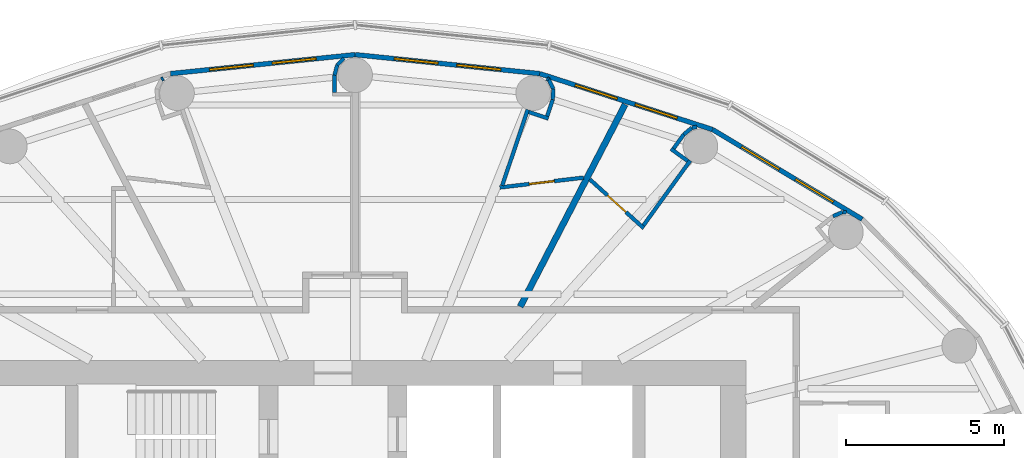
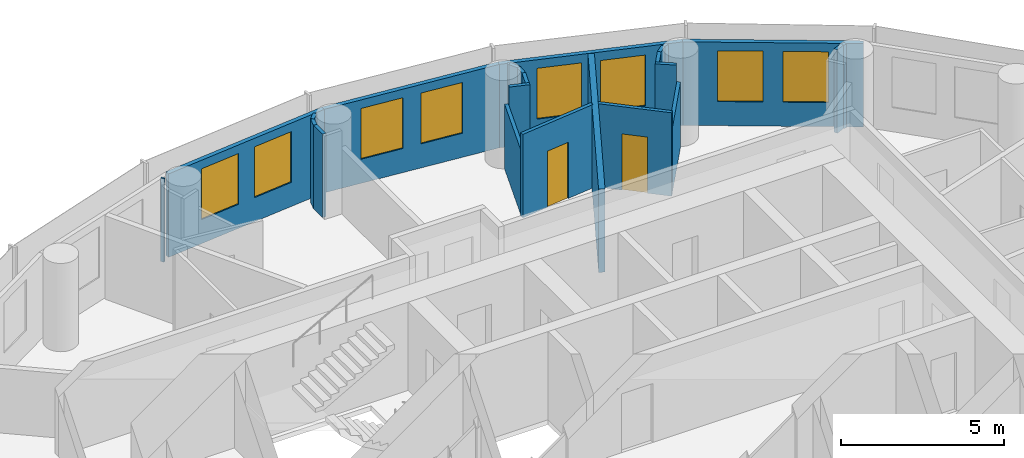
# One storey, part 13 of 16: 24 walls, 8 windows, 2 doors, 10 openings.
"""IFC4 building model written with IfcOpenShell, lengths in metres."""

from ifc_helpers import new_model, si_unit, direction, frame, frame_2d, origin, place, context, subcontext, project, spatial, rectangle, extrude, material, layer, layer_set, type_object, element, fill, save


model = new_model("IFC4")

# Units and contexts
model_context = context("Model", 3, precision=1e-05, world=origin(), true_north=direction((0.0, 1.0)))
body_context = subcontext(model_context, "Body", "Model", "MODEL_VIEW")
ifc_project = project(units=[si_unit("LENGTHUNIT", "METRE"), si_unit("AREAUNIT", "SQUARE_METRE"), si_unit("VOLUMEUNIT", "CUBIC_METRE"), si_unit("PLANEANGLEUNIT", "RADIAN"), si_unit("MASSUNIT", "GRAM", prefix="KILO")], contexts=[model_context])

# Site, building, storey
site_placement = place(None, origin())
site = spatial("IfcSite", under=ifc_project, at=site_placement, CompositionType="ELEMENT")
building_placement = place(site_placement, origin())
building = spatial("IfcBuilding", under=site, at=building_placement, Name="Hankou Lantern Tower", CompositionType="ELEMENT")
storey_placement = place(building_placement, frame((0.0, 0.0, 169.800048828125)))
storey = spatial("IfcBuildingStorey", under=building, at=storey_placement, Name="L45", CompositionType="ELEMENT", Elevation=169.800048828125)

# Wall, openings, windows
ifc_material_1 = material(Name="Aluminium spandrel panel on steel studs", Category="steel")
ifc_layer_1 = layer(ifc_material_1, 0.14990234375)
ifc_layer_set_1 = layer_set([ifc_layer_1], Name="Aluminium spandrel panel on steel studs")
wall_type_1 = type_object("IfcWallType", Name="EW1 INNER SKIN WALL 150", PredefinedType="ELEMENTEDWALL", material=ifc_layer_set_1)
wall_1_placement = place(storey_placement, frame((16.0947265625, 12.875732421875, 0.0), z_axis=(0.0, 0.0, 1.0), x_axis=(-0.857695199231, 0.514158482587, 0.0)))
wall_1 = element("IfcWall", 1, at=wall_1_placement, inside=storey, type_object=wall_type_1, Name="Inner skin R04-R05 L45", PredefinedType="ELEMENTEDWALL", context=body_context, shape_type="SweptSolid", body=[
    extrude(rectangle(XDim=5.5361328125, YDim=0.14990234375, at=frame_2d((2.76806640625, 0.0))), origin(), (0.0, 0.0, 1.0), 3.119873046875),
])
opening_1_placement = place(wall_1_placement, frame((1.068115234375, 0.0, 0.89990234375)))
opening_1 = element("IfcOpeningElement", 2, at=opening_1_placement, cuts=wall_1, Name="Opening W3", PredefinedType="OPENING", context=body_context, shape_type="SweptSolid", body=[
    extrude(rectangle(XDim=1.39990234375, YDim=1.89990234375, at=frame_2d((0.699951171875, 0.949951171875))), frame((0.0, 0.0849609375, 0.0), z_axis=(0.0, -1.0, 0.0), x_axis=(1.0, 0.0, 0.0)), (0.0, 0.0, 1.0), 0.169921875),
])
opening_2_placement = place(wall_1_placement, frame((3.068115234375, 0.0, 0.89990234375)))
opening_2 = element("IfcOpeningElement", 3, at=opening_2_placement, cuts=wall_1, Name="Opening W3", PredefinedType="OPENING", context=body_context, shape_type="SweptSolid", body=[
    extrude(rectangle(XDim=1.39990234375, YDim=1.89990234375, at=frame_2d((0.699951171875, 0.949951171875))), frame((0.0, 0.0849609375, 0.0), z_axis=(0.0, -1.0, 0.0), x_axis=(1.0, 0.0, 0.0)), (0.0, 0.0, 1.0), 0.169921875),
])
ifc_material_2 = material(Name="Aluminium framed double glazed window", Category="aluminium")
window_type = type_object("IfcWindowType", Name="W3 GUEST ROOM WINDOW 1400X1900", PartitioningType="DOUBLE_PANEL_VERTICAL", PredefinedType="WINDOW", material=ifc_material_2)
window_1_placement = place(opening_1_placement, origin())
window_1 = element("IfcWindow", 4, at=window_1_placement, inside=storey, type_object=window_type, Name="Window R04.1 L45", OverallHeight=1.89990234375, OverallWidth=1.39990234375, PartitioningType="SINGLE_PANEL", PredefinedType="WINDOW", context=body_context, shape_type="SweptSolid", body=[
    extrude(rectangle(XDim=1.39990234375, YDim=1.89990234375, at=frame_2d((0.699951171875, 0.949951171875))), frame((0.0, 0.030029296875, 0.0), z_axis=(0.0, -1.0, 0.0), x_axis=(1.0, 0.0, 0.0)), (0.0, 0.0, 1.0), 0.06005859375),
])
fill(opening_1, window_1)
window_2_placement = place(opening_2_placement, origin())
window_2 = element("IfcWindow", 5, at=window_2_placement, inside=storey, type_object=window_type, Name="Window R04.2 L45", OverallHeight=1.89990234375, OverallWidth=1.39990234375, PartitioningType="SINGLE_PANEL", PredefinedType="WINDOW", context=body_context, shape_type="SweptSolid", body=[
    extrude(rectangle(XDim=1.39990234375, YDim=1.89990234375, at=frame_2d((0.699951171875, 0.949951171875))), frame((0.0, 0.030029296875, 0.0), z_axis=(0.0, -1.0, 0.0), x_axis=(1.0, 0.0, 0.0)), (0.0, 0.0, 1.0), 0.06005859375),
])
fill(opening_2, window_2)

wall_2_placement = place(storey_placement, frame((11.346435546875, 15.72216796875, 0.0), z_axis=(0.0, 0.0, 1.0), x_axis=(-0.951432482129, 0.307857486429, 0.0)))
wall_2 = element("IfcWall", 6, at=wall_2_placement, inside=storey, type_object=wall_type_1, Name="Inner skin R05-R06 L45", PredefinedType="ELEMENTEDWALL", context=body_context, shape_type="SweptSolid", body=[
    extrude(rectangle(XDim=5.76611328125, YDim=0.14990234375, at=frame_2d((2.883056640625, 0.0))), origin(), (0.0, 0.0, 1.0), 3.119873046875),
])
opening_3_placement = place(wall_2_placement, frame((1.18310546875, 0.0, 0.89990234375)))
opening_3 = element("IfcOpeningElement", 7, at=opening_3_placement, cuts=wall_2, Name="Opening W3", PredefinedType="OPENING", context=body_context, shape_type="SweptSolid", body=[
    extrude(rectangle(XDim=1.39990234375, YDim=1.89990234375, at=frame_2d((0.699951171875, 0.949951171875))), frame((0.0, 0.0849609375, 0.0), z_axis=(0.0, -1.0, 0.0), x_axis=(1.0, 0.0, 0.0)), (0.0, 0.0, 1.0), 0.169921875),
])
opening_4_placement = place(wall_2_placement, frame((3.18310546875, 0.0, 0.89990234375)))
opening_4 = element("IfcOpeningElement", 8, at=opening_4_placement, cuts=wall_2, Name="Opening W3", PredefinedType="OPENING", context=body_context, shape_type="SweptSolid", body=[
    extrude(rectangle(XDim=1.39990234375, YDim=1.89990234375, at=frame_2d((0.699951171875, 0.949951171875))), frame((0.0, 0.0849609375, 0.0), z_axis=(0.0, -1.0, 0.0), x_axis=(1.0, 0.0, 0.0)), (0.0, 0.0, 1.0), 0.169921875),
])
window_3_placement = place(opening_3_placement, origin())
window_3 = element("IfcWindow", 9, at=window_3_placement, inside=storey, type_object=window_type, Name="Window R05.1 L45", OverallHeight=1.89990234375, OverallWidth=1.39990234375, PartitioningType="SINGLE_PANEL", PredefinedType="WINDOW", context=body_context, shape_type="SweptSolid", body=[
    extrude(rectangle(XDim=1.39990234375, YDim=1.89990234375, at=frame_2d((0.699951171875, 0.949951171875))), frame((0.0, 0.030029296875, 0.0), z_axis=(0.0, -1.0, 0.0), x_axis=(1.0, 0.0, 0.0)), (0.0, 0.0, 1.0), 0.06005859375),
])
fill(opening_3, window_3)
window_4_placement = place(opening_4_placement, origin())
window_4 = element("IfcWindow", 10, at=window_4_placement, inside=storey, type_object=window_type, Name="Window R05.2 L45", OverallHeight=1.89990234375, OverallWidth=1.39990234375, PartitioningType="SINGLE_PANEL", PredefinedType="WINDOW", context=body_context, shape_type="SweptSolid", body=[
    extrude(rectangle(XDim=1.39990234375, YDim=1.89990234375, at=frame_2d((0.699951171875, 0.949951171875))), frame((0.0, 0.030029296875, 0.0), z_axis=(0.0, -1.0, 0.0), x_axis=(1.0, 0.0, 0.0)), (0.0, 0.0, 1.0), 0.06005859375),
])
fill(opening_4, window_4)

wall_3_placement = place(storey_placement, frame((5.8603515625, 17.497314453125, 0.0), z_axis=(0.0, 0.0, 1.0), x_axis=(-0.994751738032, 0.102318032045, 0.0)))
wall_3 = element("IfcWall", 11, at=wall_3_placement, inside=storey, type_object=wall_type_1, Name="Inner skin R06-R07 L45", PredefinedType="ELEMENTEDWALL", context=body_context, shape_type="SweptSolid", body=[
    extrude(rectangle(XDim=5.891357421875, YDim=0.14990234375, at=frame_2d((2.94580078125, 0.0))), origin(), (0.0, 0.0, 1.0), 3.119873046875),
])
opening_5_placement = place(wall_3_placement, frame((1.24560546875, 0.0, 0.89990234375)))
opening_5 = element("IfcOpeningElement", 12, at=opening_5_placement, cuts=wall_3, Name="Opening W3", PredefinedType="OPENING", context=body_context, shape_type="SweptSolid", body=[
    extrude(rectangle(XDim=1.39990234375, YDim=1.89990234375, at=frame_2d((0.699951171875, 0.949951171875))), frame((0.0, 0.0849609375, 0.0), z_axis=(0.0, -1.0, 0.0), x_axis=(1.0, 0.0, 0.0)), (0.0, 0.0, 1.0), 0.169921875),
])
opening_6_placement = place(wall_3_placement, frame((3.24560546875, 0.0, 0.89990234375)))
opening_6 = element("IfcOpeningElement", 13, at=opening_6_placement, cuts=wall_3, Name="Opening W3", PredefinedType="OPENING", context=body_context, shape_type="SweptSolid", body=[
    extrude(rectangle(XDim=1.39990234375, YDim=1.89990234375, at=frame_2d((0.699951171875, 0.949951171875))), frame((0.0, 0.0849609375, 0.0), z_axis=(0.0, -1.0, 0.0), x_axis=(1.0, 0.0, 0.0)), (0.0, 0.0, 1.0), 0.169921875),
])
window_5_placement = place(opening_5_placement, origin())
window_5 = element("IfcWindow", 14, at=window_5_placement, inside=storey, type_object=window_type, Name="Window R06.1 L45", OverallHeight=1.89990234375, OverallWidth=1.39990234375, PartitioningType="SINGLE_PANEL", PredefinedType="WINDOW", context=body_context, shape_type="SweptSolid", body=[
    extrude(rectangle(XDim=1.39990234375, YDim=1.89990234375, at=frame_2d((0.699951171875, 0.949951171875))), frame((0.0, 0.030029296875, 0.0), z_axis=(0.0, -1.0, 0.0), x_axis=(1.0, 0.0, 0.0)), (0.0, 0.0, 1.0), 0.06005859375),
])
fill(opening_5, window_5)
window_6_placement = place(opening_6_placement, origin())
window_6 = element("IfcWindow", 15, at=window_6_placement, inside=storey, type_object=window_type, Name="Window R06.2 L45", OverallHeight=1.89990234375, OverallWidth=1.39990234375, PartitioningType="SINGLE_PANEL", PredefinedType="WINDOW", context=body_context, shape_type="SweptSolid", body=[
    extrude(rectangle(XDim=1.39990234375, YDim=1.89990234375, at=frame_2d((0.699951171875, 0.949951171875))), frame((0.0, 0.030029296875, 0.0), z_axis=(0.0, -1.0, 0.0), x_axis=(1.0, 0.0, 0.0)), (0.0, 0.0, 1.0), 0.06005859375),
])
fill(opening_6, window_6)

wall_4_placement = place(storey_placement, frame((0.0, 18.10009765625, 0.0), z_axis=(0.0, 0.0, 1.0), x_axis=(-0.994751738032, -0.102318032045, 0.0)))
wall_4 = element("IfcWall", 16, at=wall_4_placement, inside=storey, type_object=wall_type_1, Name="Inner skin R07-R08 L45", PredefinedType="ELEMENTEDWALL", context=body_context, shape_type="SweptSolid", body=[
    extrude(rectangle(XDim=5.891357421875, YDim=0.14990234375, at=frame_2d((2.94580078125, 0.0))), origin(), (0.0, 0.0, 1.0), 3.119873046875),
])
opening_7_placement = place(wall_4_placement, frame((1.24560546875, 0.0, 0.89990234375)))
opening_7 = element("IfcOpeningElement", 17, at=opening_7_placement, cuts=wall_4, Name="Opening W3", PredefinedType="OPENING", context=body_context, shape_type="SweptSolid", body=[
    extrude(rectangle(XDim=1.39990234375, YDim=1.89990234375, at=frame_2d((0.699951171875, 0.949951171875))), frame((0.0, 0.0849609375, 0.0), z_axis=(0.0, -1.0, 0.0), x_axis=(1.0, 0.0, 0.0)), (0.0, 0.0, 1.0), 0.169921875),
])
opening_8_placement = place(wall_4_placement, frame((3.24560546875, 0.0, 0.89990234375)))
opening_8 = element("IfcOpeningElement", 18, at=opening_8_placement, cuts=wall_4, Name="Opening W3", PredefinedType="OPENING", context=body_context, shape_type="SweptSolid", body=[
    extrude(rectangle(XDim=1.39990234375, YDim=1.89990234375, at=frame_2d((0.699951171875, 0.949951171875))), frame((0.0, 0.0849609375, 0.0), z_axis=(0.0, -1.0, 0.0), x_axis=(1.0, 0.0, 0.0)), (0.0, 0.0, 1.0), 0.169921875),
])
window_7_placement = place(opening_7_placement, origin())
window_7 = element("IfcWindow", 19, at=window_7_placement, inside=storey, type_object=window_type, Name="Window R07.1 L45", OverallHeight=1.89990234375, OverallWidth=1.39990234375, PartitioningType="SINGLE_PANEL", PredefinedType="WINDOW", context=body_context, shape_type="SweptSolid", body=[
    extrude(rectangle(XDim=1.39990234375, YDim=1.89990234375, at=frame_2d((0.699951171875, 0.949951171875))), frame((0.0, 0.030029296875, 0.0), z_axis=(0.0, -1.0, 0.0), x_axis=(1.0, 0.0, 0.0)), (0.0, 0.0, 1.0), 0.06005859375),
])
fill(opening_7, window_7)
window_8_placement = place(opening_8_placement, origin())
window_8 = element("IfcWindow", 20, at=window_8_placement, inside=storey, type_object=window_type, Name="Window R07.2 L45", OverallHeight=1.89990234375, OverallWidth=1.39990234375, PartitioningType="SINGLE_PANEL", PredefinedType="WINDOW", context=body_context, shape_type="SweptSolid", body=[
    extrude(rectangle(XDim=1.39990234375, YDim=1.89990234375, at=frame_2d((0.699951171875, 0.949951171875))), frame((0.0, 0.030029296875, 0.0), z_axis=(0.0, -1.0, 0.0), x_axis=(1.0, 0.0, 0.0)), (0.0, 0.0, 1.0), 0.06005859375),
])
fill(opening_8, window_8)

# Wall
ifc_material_3 = material(Name="Masonry lightweight concrete block", Category="masonry")
ifc_layer_2 = layer(ifc_material_3, 0.199951171875)
ifc_layer_set_2 = layer_set([ifc_layer_2], Name="Masonry lightweight concrete block")
wall_type_2 = type_object("IfcWallType", Name="IW1 GUEST ROOM PARTY WALL 200", PredefinedType="PARTITIONING", material=ifc_layer_set_2)
wall_5_placement = place(storey_placement, frame((5.239990234375, 10.10009765625, 0.0), z_axis=(0.0, 0.0, 1.0), x_axis=(0.460532965373, 0.887642601391, 0.0)))
element("IfcWall", 21, at=wall_5_placement, inside=storey, type_object=wall_type_2, Name="Party wall R05-R06", PredefinedType="PARTITIONING", context=body_context, shape_type="SweptSolid", body=[
    extrude(rectangle(XDim=7.2314453125, YDim=0.199951171875, at=frame_2d((3.61572265625, 0.0))), origin(), (0.0, 0.0, 1.0), 3.119873046875),
])

# Wall, opening, door
ifc_material_4 = material(Name="Masonry lightweight concrete block", Category="masonry")
ifc_layer_3 = layer(ifc_material_4, 0.1201171875)
ifc_layer_set_3 = layer_set([ifc_layer_3], Name="Masonry lightweight concrete block")
wall_type_3 = type_object("IfcWallType", Name="IW3 BATHROOM WALL 120", PredefinedType="PARTITIONING", material=ifc_layer_set_3)
wall_6_placement = place(storey_placement, frame((7.44970703125, 14.1416015625, 0.0), z_axis=(0.0, 0.0, 1.0), x_axis=(0.74113984586, -0.671350675041, 0.0)))
wall_6 = element("IfcWall", 22, at=wall_6_placement, inside=storey, type_object=wall_type_3, Name="Box wall 4507 1", PredefinedType="PARTITIONING", context=body_context, shape_type="SweptSolid", body=[
    extrude(rectangle(XDim=2.308837890625, YDim=0.1201171875, at=frame_2d((1.154296875, 0.0))), origin(), (0.0, 0.0, 1.0), 3.119873046875),
])
opening_9_placement = place(wall_6_placement, frame((0.75439453125, 0.0, 0.0)))
opening_9 = element("IfcOpeningElement", 23, at=opening_9_placement, cuts=wall_6, Name="Opening D3", PredefinedType="OPENING", context=body_context, shape_type="SweptSolid", body=[
    extrude(rectangle(XDim=0.800048828125, YDim=2.10009765625, at=frame_2d((0.39990234375, 1.050048828125))), frame((0.0, 0.070068359375, 0.0), z_axis=(0.0, -1.0, 0.0), x_axis=(1.0, 0.0, 0.0)), (0.0, 0.0, 1.0), 0.14013671875),
])
ifc_material_5 = material(Name="Timber door leaf", Category="wood")
door_type = type_object("IfcDoorType", Name="D3 BATHROOM DOOR 800X2100", OperationType="SINGLE_SWING_LEFT", PredefinedType="DOOR", material=ifc_material_5)
door_1_placement = place(opening_9_placement, origin())
door_1 = element("IfcDoor", 24, at=door_1_placement, inside=storey, type_object=door_type, Name="En-suite bathroom 4507 door", OperationType="SINGLE_SWING_RIGHT", OverallHeight=2.10009765625, OverallWidth=0.800048828125, PredefinedType="DOOR", context=body_context, shape_type="SweptSolid", body=[
    extrude(rectangle(XDim=0.800048828125, YDim=2.10009765625, at=frame_2d((0.39990234375, 1.050048828125))), frame((0.0, 0.02490234375, 0.0), z_axis=(0.0, -1.0, 0.0), x_axis=(1.0, 0.0, 0.0)), (0.0, 0.0, 1.0), 0.050048828125),
])
fill(opening_9, door_1)

# Walls
wall_7_placement = place(storey_placement, frame((9.1513671875, 12.6806640625, 0.0), z_axis=(0.0, 0.0, 1.0), x_axis=(0.585258912334, 0.8108464747, 0.0)))
element("IfcWall", 25, at=wall_7_placement, inside=storey, type_object=wall_type_3, Name="Box wall 4507 2", PredefinedType="PARTITIONING", context=body_context, shape_type="SweptSolid", body=[
    extrude(rectangle(XDim=2.5400390625, YDim=0.1201171875, at=frame_2d((1.27001953125, 0.0))), origin(), (0.0, 0.0, 1.0), 2.419921875),
])
wall_8_placement = place(storey_placement, frame((10.55419921875, 14.726806640625, 0.0), z_axis=(0.0, 0.0, 1.0), x_axis=(-0.811044231224, 0.584984833135, 0.0)))
element("IfcWall", 26, at=wall_8_placement, inside=storey, type_object=wall_type_3, Name="Column casing 4507 return", PredefinedType="PARTITIONING", context=body_context, shape_type="SweptSolid", body=[
    extrude(rectangle(XDim=0.65234375, YDim=0.1201171875, at=frame_2d((0.326171875, 0.0))), origin(), (0.0, 0.0, 1.0), 3.119873046875),
])
wall_9_placement = place(storey_placement, frame((10.10888671875, 15.121826171875, 0.0), z_axis=(0.0, 0.0, 1.0), x_axis=(0.585344718358, 0.810784534072, 0.0)))
element("IfcWall", 27, at=wall_9_placement, inside=storey, type_object=wall_type_3, Name="Column casing 4507", PredefinedType="PARTITIONING", context=body_context, shape_type="SweptSolid", body=[
    extrude(rectangle(XDim=0.550048828125, YDim=0.1201171875, at=frame_2d((0.27490234375, 0.0))), origin(), (0.0, 0.0, 1.0), 3.119873046875),
])
wall_10_placement = place(storey_placement, frame((10.430908203125, 15.56787109375, 0.0), z_axis=(0.0, 0.0, 1.0), x_axis=(0.77505137267, 0.631898227345, 0.0)))
element("IfcWall", 28, at=wall_10_placement, inside=storey, type_object=wall_type_3, Name="Column casing 4507", PredefinedType="PARTITIONING", context=body_context, shape_type="SweptSolid", body=[
    extrude(rectangle(XDim=0.337646484375, YDim=0.1201171875, at=frame_2d((0.1689453125, 0.0))), origin(), (0.0, 0.0, 1.0), 3.119873046875),
])
wall_11_placement = place(storey_placement, frame((10.692626953125, 15.78125, 0.0), z_axis=(0.0, 0.0, 1.0), x_axis=(0.987256785332, 0.159135287777, 0.0)))
element("IfcWall", 29, at=wall_11_placement, inside=storey, type_object=wall_type_3, Name="Column casing 4507", PredefinedType="PARTITIONING", context=body_context, shape_type="SweptSolid", body=[
    extrude(rectangle(XDim=0.157958984375, YDim=0.1201171875, at=frame_2d((0.0791015625, 0.0))), origin(), (0.0, 0.0, 1.0), 3.119873046875),
])

# Wall, opening, door
wall_12_placement = place(storey_placement, frame((7.2529296875, 14.197021484375, 0.0), z_axis=(0.0, 0.0, 1.0), x_axis=(-0.993128188393, -0.117031625725, 0.0)))
wall_12 = element("IfcWall", 30, at=wall_12_placement, inside=storey, type_object=wall_type_3, Name="Box wall 4508 1", PredefinedType="PARTITIONING", context=body_context, shape_type="SweptSolid", body=[
    extrude(rectangle(XDim=2.678466796875, YDim=0.1201171875, at=frame_2d((1.33935546875, 0.0))), origin(), (0.0, 0.0, 1.0), 3.119873046875),
])
opening_10_placement = place(wall_12_placement, frame((0.939208984375, 0.0, 0.0)))
opening_10 = element("IfcOpeningElement", 31, at=opening_10_placement, cuts=wall_12, Name="Opening D3", PredefinedType="OPENING", context=body_context, shape_type="SweptSolid", body=[
    extrude(rectangle(XDim=0.800048828125, YDim=2.10009765625, at=frame_2d((0.39990234375, 1.050048828125))), frame((0.0, 0.070068359375, 0.0), z_axis=(0.0, -1.0, 0.0), x_axis=(1.0, 0.0, 0.0)), (0.0, 0.0, 1.0), 0.14013671875),
])
door_2_placement = place(opening_10_placement, origin())
door_2 = element("IfcDoor", 32, at=door_2_placement, inside=storey, type_object=door_type, Name="En-suite bathroom 4508 door", OperationType="SINGLE_SWING_LEFT", OverallHeight=2.10009765625, OverallWidth=0.800048828125, PredefinedType="DOOR", context=body_context, shape_type="SweptSolid", body=[
    extrude(rectangle(XDim=0.800048828125, YDim=2.10009765625, at=frame_2d((0.39990234375, 1.050048828125))), frame((0.0, 0.02490234375, 0.0), z_axis=(0.0, -1.0, 0.0), x_axis=(1.0, 0.0, 0.0)), (0.0, 0.0, 1.0), 0.050048828125),
])
fill(opening_10, door_2)

# Walls
wall_13_placement = place(storey_placement, frame((4.67138671875, 13.947509765625, 0.0), z_axis=(0.0, 0.0, 1.0), x_axis=(0.317669167093, 0.948201613729, 0.0)))
element("IfcWall", 33, at=wall_13_placement, inside=storey, type_object=wall_type_3, Name="Box wall 4508 2", PredefinedType="PARTITIONING", context=body_context, shape_type="SweptSolid", body=[
    extrude(rectangle(XDim=2.5400390625, YDim=0.1201171875, at=frame_2d((1.27001953125, 0.0))), origin(), (0.0, 0.0, 1.0), 2.419921875),
])
wall_14_placement = place(storey_placement, frame((5.51611328125, 16.280029296875, 0.0), z_axis=(0.0, 0.0, 1.0), x_axis=(0.948157944392, -0.317799484717, 0.0)))
element("IfcWall", 34, at=wall_14_placement, inside=storey, type_object=wall_type_3, Name="Column casing 4508 return", PredefinedType="PARTITIONING", context=body_context, shape_type="SweptSolid", body=[
    extrude(rectangle(XDim=0.652099609375, YDim=0.1201171875, at=frame_2d((0.326171875, 0.0))), origin(), (0.0, 0.0, 1.0), 3.119873046875),
])
wall_15_placement = place(storey_placement, frame((6.0966796875, 16.148681640625, 0.0), z_axis=(0.0, 0.0, 1.0), x_axis=(0.317292604854, 0.948327687514, 0.0)))
element("IfcWall", 35, at=wall_15_placement, inside=storey, type_object=wall_type_3, Name="Column casing 4508", PredefinedType="PARTITIONING", context=body_context, shape_type="SweptSolid", body=[
    extrude(rectangle(XDim=0.550048828125, YDim=0.1201171875, at=frame_2d((0.27490234375, 0.0))), origin(), (0.0, 0.0, 1.0), 3.119873046875),
])
for number, where, z_axis, x_axis, name in (
    (36, (6.271240234375, 16.67041015625, 0.0), (0.0, 0.0, 1.0), (0.061477694849, 0.998108457552, 0.0), "Column casing 4508"),
    (37, (6.2919921875, 17.00732421875, 0.0), (0.0, 0.0, 1.0), (-0.445477128334, 0.895293319606, 0.0), "Column casing 4508"),
):
    element("IfcWall", number, at=place(storey_placement, frame(where, z_axis=z_axis, x_axis=x_axis)), inside=storey, type_object=wall_type_3, Name=name, PredefinedType="PARTITIONING", context=body_context, shape_type="SweptSolid", body=[
        extrude(rectangle(XDim=0.337646484375, YDim=0.1201171875, at=frame_2d((0.1689453125, 0.0))), origin(), (0.0, 0.0, 1.0), 3.119873046875),
    ])
for number, where, z_axis, x_axis, name in (
    (38, (6.1416015625, 17.3095703125, 0.0), (0.0, 0.0, 1.0), (-0.835039693181, 0.550189704386, 0.0), "Column casing 4508"),
    (39, (-6.1416015625, 17.3095703125, 0.0), (0.0, 0.0, 1.0), (0.835039693181, 0.550189704386, 0.0), "Column casing 4509"),
):
    element("IfcWall", number, at=place(storey_placement, frame(where, z_axis=z_axis, x_axis=x_axis)), inside=storey, type_object=wall_type_3, Name=name, PredefinedType="PARTITIONING", context=body_context, shape_type="SweptSolid", body=[
        extrude(rectangle(XDim=0.0625, YDim=0.1201171875, at=frame_2d((0.03125, 0.0))), origin(), (0.0, 0.0, 1.0), 3.119873046875),
    ])
ifc_material_6 = material(Name="Masonry lightweight concrete block", Category="masonry")
ifc_layer_4 = layer(ifc_material_6, 0.1201171875)
ifc_layer_set_4 = layer_set([ifc_layer_4], Name="Masonry lightweight concrete block")
wall_type_4 = type_object("IfcWallType", Name="IW4 PARTITION 120", PredefinedType="PARTITIONING", material=ifc_layer_set_4)
wall_16_placement = place(storey_placement, frame((15.168701171875, 12.97021484375, 0.0), z_axis=(0.0, 0.0, 1.0), x_axis=(0.915974725257, 0.401235968838, 0.0)))
element("IfcWall", 40, at=wall_16_placement, inside=storey, type_object=wall_type_4, Name="Column casing R04", PredefinedType="PARTITIONING", context=body_context, shape_type="SweptSolid", body=[
    extrude(rectangle(XDim=0.337646484375, YDim=0.1201171875, at=frame_2d((0.1689453125, 0.0))), origin(), (0.0, 0.0, 1.0), 3.119873046875),
])
wall_17_placement = place(storey_placement, frame((15.47802734375, 13.105712890625, 0.0), z_axis=(0.0, 0.0, 1.0), x_axis=(0.993778813557, -0.111371763588, 0.0)))
element("IfcWall", 41, at=wall_17_placement, inside=storey, type_object=wall_type_4, Name="Column casing R04", PredefinedType="PARTITIONING", context=body_context, shape_type="SweptSolid", body=[
    extrude(rectangle(XDim=0.114013671875, YDim=0.1201171875, at=frame_2d((0.05712890625, 0.0))), origin(), (0.0, 0.0, 1.0), 3.119873046875),
])
wall_18_placement = place(storey_placement, frame((-0.65234375, 16.89990234375, 0.0), z_axis=(0.0, 0.0, 1.0), x_axis=(0.0, 1.0, 0.0)))
element("IfcWall", 42, at=wall_18_placement, inside=storey, type_object=wall_type_4, Name="Column casing R07", PredefinedType="PARTITIONING", context=body_context, shape_type="SweptSolid", body=[
    extrude(rectangle(XDim=0.550048828125, YDim=0.1201171875, at=frame_2d((0.27490234375, 0.0))), origin(), (0.0, 0.0, 1.0), 3.119873046875),
])
wall_19_placement = place(storey_placement, frame((-0.65234375, 17.449951171875, 0.0), z_axis=(0.0, 0.0, 1.0), x_axis=(0.258832454679, 0.965922233104, 0.0)))
element("IfcWall", 43, at=wall_19_placement, inside=storey, type_object=wall_type_4, Name="Column casing R07", PredefinedType="PARTITIONING", context=body_context, shape_type="SweptSolid", body=[
    extrude(rectangle(XDim=0.337646484375, YDim=0.1201171875, at=frame_2d((0.1689453125, 0.0))), origin(), (0.0, 0.0, 1.0), 3.119873046875),
])
wall_20_placement = place(storey_placement, frame((-0.56494140625, 17.776123046875, 0.0), z_axis=(0.0, 0.0, 1.0), x_axis=(0.707106781187, 0.707106781187, 0.0)))
element("IfcWall", 44, at=wall_20_placement, inside=storey, type_object=wall_type_4, Name="Column casing R07", PredefinedType="PARTITIONING", context=body_context, shape_type="SweptSolid", body=[
    extrude(rectangle(XDim=0.30078125, YDim=0.1201171875, at=frame_2d((0.150390625, 0.0))), origin(), (0.0, 0.0, 1.0), 3.119873046875),
])

save(model, "model.ifc")
